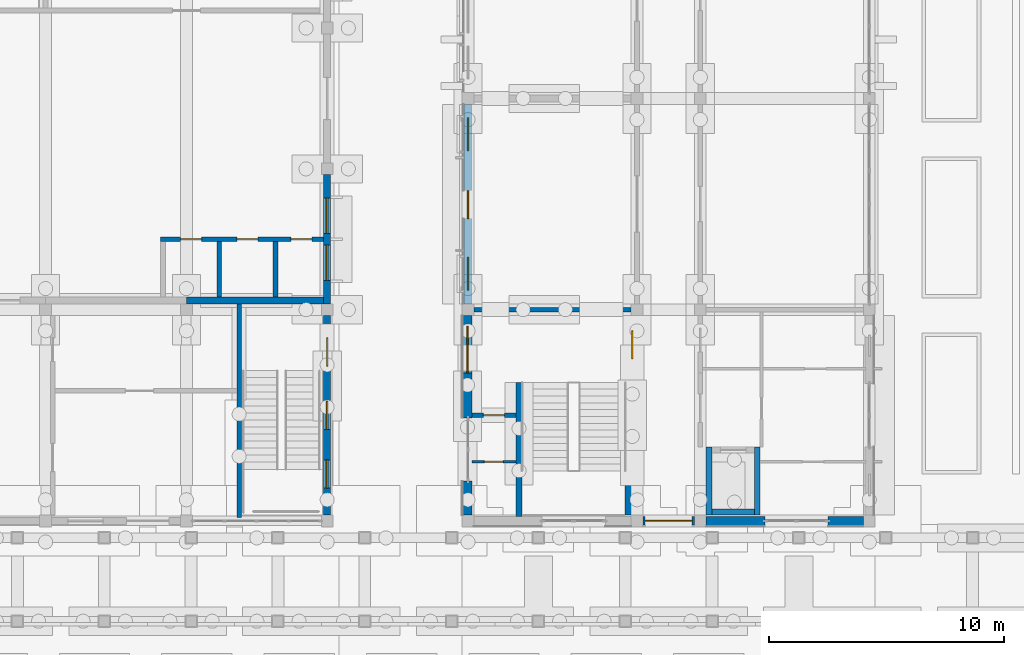
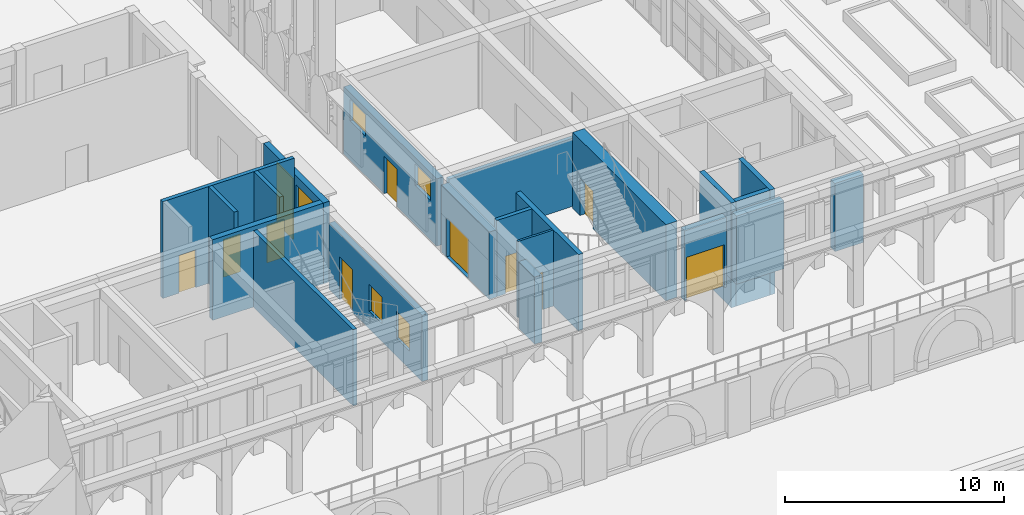
# One storey, part 57 of 161: 24 walls, 10 doors, 6 windows, 16 openings.
"""IFC4 building model written with IfcOpenShell, lengths in metres."""

from ifc_helpers import new_model, si_unit, direction, frame, frame_2d, origin, place, context, subcontext, project, spatial, rectangle, extrude, material, layer, layer_set, type_object, element, fill, save


model = new_model("IFC4")

# Units and contexts
model_context = context("Model", 3, precision=1e-05, world=origin(), true_north=direction((0.0, 1.0)))
body_context = subcontext(model_context, "Body", "Model", "MODEL_VIEW")
ifc_project = project(units=[si_unit("LENGTHUNIT", "METRE"), si_unit("AREAUNIT", "SQUARE_METRE"), si_unit("VOLUMEUNIT", "CUBIC_METRE"), si_unit("PLANEANGLEUNIT", "RADIAN"), si_unit("MASSUNIT", "GRAM", prefix="KILO")], contexts=[model_context])

# Site, building, storey
site_placement = place(None, origin())
site = spatial("IfcSite", under=ifc_project, at=site_placement, CompositionType="ELEMENT")
building_placement = place(site_placement, origin())
building = spatial("IfcBuilding", under=site, at=building_placement, Name="Elbe Cascade School", CompositionType="ELEMENT")
storey_placement = place(building_placement, origin())
storey = spatial("IfcBuildingStorey", under=building, at=storey_placement, Name="L00", CompositionType="ELEMENT", Elevation=0.0)

# Wall, opening, door
ifc_material_1 = material(Name="Masonry - lime-sand block, plastered", Category="masonry")
ifc_layer_1 = layer(ifc_material_1, 0.114990234375)
ifc_layer_set_1 = layer_set([ifc_layer_1], Name="Masonry - lime-sand block, plastered")
wall_type_1 = type_object("IfcWallType", Name="Bar light partition wall lime-sand block 115", PredefinedType="PARTITIONING", material=ifc_layer_set_1)
wall_1_placement = place(storey_placement, frame((71.050048828125, 8.52001953125, 0.0), z_axis=(0.0, 0.0, 1.0), x_axis=(-1.0, 0.0, 0.0)))
wall_1 = element("IfcWall", 1, at=wall_1_placement, inside=storey, type_object=wall_type_1, Name="Bar light partition wall lime-sand block 115", PredefinedType="PARTITIONING", context=body_context, shape_type="SweptSolid", body=[
    extrude(rectangle(XDim=1.8701171875, YDim=0.114990234375, at=frame_2d((0.93505859375, 0.0))), origin(), (0.0, 0.0, 1.0), 4.25),
])
opening_1_placement = place(wall_1_placement, frame((0.550048828125, 0.0, 0.0)))
opening_1 = element("IfcOpeningElement", 2, at=opening_1_placement, cuts=wall_1, Name="Opening D0.002", PredefinedType="OPENING", context=body_context, shape_type="SweptSolid", body=[
    extrude(rectangle(XDim=0.800048828125, YDim=2.10009765625, at=frame_2d((0.39990234375, 1.050048828125))), frame((0.0, 0.0673828125, 0.0), z_axis=(0.0, -1.0, 0.0), x_axis=(1.0, 0.0, 0.0)), (0.0, 0.0, 1.0), 0.135009765625),
])
ifc_material_2 = material(Name="Timber door leaf, steel frame", Category="steel")
door_type_1 = type_object("IfcDoorType", Name="Bar door 800x2100", OperationType="NOTDEFINED", PredefinedType="DOOR", material=ifc_material_2)
door_1_placement = place(opening_1_placement, origin())
door_1 = element("IfcDoor", 3, at=door_1_placement, inside=storey, type_object=door_type_1, Name="Door A0.05", OperationType="SINGLE_SWING_LEFT", OverallHeight=2.10009765625, OverallWidth=0.800048828125, PredefinedType="DOOR", context=body_context, shape_type="SweptSolid", body=[
    extrude(rectangle(XDim=0.800048828125, YDim=2.10009765625, at=frame_2d((0.39990234375, 1.050048828125))), frame((0.0, 0.02490234375, 0.0), z_axis=(0.0, -1.0, 0.0), x_axis=(1.0, 0.0, 0.0)), (0.0, 0.0, 1.0), 0.050048828125),
])
fill(opening_1, door_1)

# Wall
ifc_material_3 = material(Name="Concrete C30/37", Category="concrete")
ifc_layer_2 = layer(ifc_material_3, 0.25)
ifc_layer_set_2 = layer_set([ifc_layer_2], Name="Concrete C30/37")
wall_type_2 = type_object("IfcWallType", Name="Bar stair core wall RC 250", PredefinedType="SOLIDWALL", material=ifc_layer_set_2)
wall_2_placement = place(storey_placement, frame((71.175048828125, 6.179931640625, 0.0), z_axis=(0.0, 0.0, 1.0), x_axis=(0.0, 1.0, 0.0)))
element("IfcWall", 4, at=wall_2_placement, inside=storey, type_object=wall_type_2, Name="Bar stair core wall RC 250", PredefinedType="SOLIDWALL", context=body_context, shape_type="SweptSolid", body=[
    extrude(rectangle(XDim=5.719970703125, YDim=0.25, at=frame_2d((2.85986328125, 0.0))), origin(), (0.0, 0.0, 1.0), 4.25),
])

# Wall, opening, door
ifc_material_4 = material(Name="Concrete C30/37", Category="concrete")
ifc_layer_3 = layer(ifc_material_4, 0.60009765625)
ifc_layer_set_3 = layer_set([ifc_layer_3], Name="Concrete C30/37")
wall_type_3 = type_object("IfcWallType", Name="Bar stair core wall RC 600", PredefinedType="SOLIDWALL", material=ifc_layer_set_3)
wall_3_placement = place(storey_placement, frame((76.0, 6.25, 0.0), z_axis=(0.0, 0.0, 1.0), x_axis=(0.0, 1.0, 0.0)))
wall_3 = element("IfcWall", 5, at=wall_3_placement, inside=storey, type_object=wall_type_3, Name="Bar stair core wall RC 600", PredefinedType="SOLIDWALL", context=body_context, shape_type="SweptSolid", body=[
    extrude(rectangle(XDim=8.5, YDim=0.60009765625, at=frame_2d((4.25, 0.0))), origin(), (0.0, 0.0, 1.0), 4.25),
])
opening_2_placement = place(wall_3_placement, frame((6.64990234375, 0.0, 0.0)))
opening_2 = element("IfcOpeningElement", 6, at=opening_2_placement, cuts=wall_3, Name="Opening D0.010", PredefinedType="OPENING", context=body_context, shape_type="SweptSolid", body=[
    extrude(rectangle(XDim=1.199951171875, YDim=2.10009765625, at=frame_2d((0.60009765625, 1.050048828125))), frame((0.0, 0.31005859375, 0.0), z_axis=(0.0, -1.0, 0.0), x_axis=(1.0, 0.0, 0.0)), (0.0, 0.0, 1.0), 0.6201171875),
])
ifc_material_5 = material(Name="Timber door leaf, fire-resisting and smoke-tight, steel frame", Category="steel")
door_type_2 = type_object("IfcDoorType", Name="Bar door FD30S 1200x2100", OperationType="NOTDEFINED", PredefinedType="DOOR", material=ifc_material_5)
door_2_placement = place(opening_2_placement, origin())
door_2 = element("IfcDoor", 7, at=door_2_placement, inside=storey, type_object=door_type_2, Name="Door A0.03", OperationType="SINGLE_SWING_RIGHT", OverallHeight=2.10009765625, OverallWidth=1.199951171875, PredefinedType="DOOR", context=body_context, shape_type="SweptSolid", body=[
    extrude(rectangle(XDim=1.199951171875, YDim=2.10009765625, at=frame_2d((0.60009765625, 1.050048828125))), frame((0.0, 0.02490234375, 0.0), z_axis=(0.0, -1.0, 0.0), x_axis=(1.0, 0.0, 0.0)), (0.0, 0.0, 1.0), 0.050048828125),
])
fill(opening_2, door_2)

ifc_material_6 = material(Name="Concrete C30/37", Category="concrete")
ifc_layer_4 = layer(ifc_material_6, 0.199951171875)
ifc_layer_set_4 = layer_set([ifc_layer_4], Name="Concrete C30/37")
wall_type_4 = type_object("IfcWallType", Name="Bar stair lobby wall RC 200", PredefinedType="SOLIDWALL", material=ifc_layer_set_4)
wall_4_placement = place(storey_placement, frame((71.050048828125, 10.5, 0.0), z_axis=(0.0, 0.0, 1.0), x_axis=(-1.0, 0.0, 0.0)))
wall_4 = element("IfcWall", 8, at=wall_4_placement, inside=storey, type_object=wall_type_4, Name="Bar stair lobby wall RC 200", PredefinedType="SOLIDWALL", context=body_context, shape_type="SweptSolid", body=[
    extrude(rectangle(XDim=1.8701171875, YDim=0.199951171875, at=frame_2d((0.93505859375, 0.0))), origin(), (0.0, 0.0, 1.0), 4.25),
])
opening_3_placement = place(wall_4_placement, frame((0.5, 0.0, 0.0)))
opening_3 = element("IfcOpeningElement", 9, at=opening_3_placement, cuts=wall_4, Name="Opening D0.005", PredefinedType="OPENING", context=body_context, shape_type="SweptSolid", body=[
    extrude(rectangle(XDim=0.89990234375, YDim=2.10009765625, at=frame_2d((0.449951171875, 1.050048828125))), frame((0.0, 0.10986328125, 0.0), z_axis=(0.0, -1.0, 0.0), x_axis=(1.0, 0.0, 0.0)), (0.0, 0.0, 1.0), 0.219970703125),
])
ifc_material_7 = material(Name="Timber door leaf, fire-resisting and smoke-tight, steel frame", Category="steel")
door_type_3 = type_object("IfcDoorType", Name="Bar door FD30S 900x2100", OperationType="NOTDEFINED", PredefinedType="DOOR", material=ifc_material_7)
door_3_placement = place(opening_3_placement, origin())
door_3 = element("IfcDoor", 10, at=door_3_placement, inside=storey, type_object=door_type_3, Name="Door A0.04", OperationType="SINGLE_SWING_RIGHT", OverallHeight=2.10009765625, OverallWidth=0.89990234375, PredefinedType="DOOR", context=body_context, shape_type="SweptSolid", body=[
    extrude(rectangle(XDim=0.89990234375, YDim=2.10009765625, at=frame_2d((0.449951171875, 1.050048828125))), frame((0.0, 0.02490234375, 0.0), z_axis=(0.0, -1.0, 0.0), x_axis=(1.0, 0.0, 0.0)), (0.0, 0.0, 1.0), 0.050048828125),
])
fill(opening_3, door_3)

# Wall
wall_5_placement = place(storey_placement, frame((69.25, 15.0, 0.0), z_axis=(0.0, 0.0, 1.0), x_axis=(1.0, 0.0, 0.0)))
element("IfcWall", 11, at=wall_5_placement, inside=storey, type_object=wall_type_4, Name="Bar stair lobby wall RC 200", PredefinedType="SOLIDWALL", context=body_context, shape_type="SweptSolid", body=[
    extrude(rectangle(XDim=6.699951171875, YDim=0.199951171875, at=frame_2d((3.35009765625, 0.0))), origin(), (0.0, 0.0, 1.0), 3.800048828125),
])

# Wall, openings, door, windows
ifc_material_8 = material(Name="Brick masonry - red clinker, cavity wall with render backing", Category="masonry")
ifc_layer_5 = layer(ifc_material_8, 0.360107421875)
ifc_layer_set_5 = layer_set([ifc_layer_5], Name="Brick masonry - red clinker, cavity wall with render backing")
wall_type_5 = type_object("IfcWallType", Name="Bars envelope External wall - clinker brick cavity, 360 ground floor", PredefinedType="STANDARD", material=ifc_layer_set_5)
wall_6_placement = place(storey_placement, frame((69.0, 15.25, 0.0), z_axis=(0.0, 0.0, 1.0), x_axis=(0.0, 1.0, 0.0)))
wall_6 = element("IfcWall", 12, at=wall_6_placement, inside=storey, type_object=wall_type_5, Name="External wall W29 A.L00.w2", PredefinedType="STANDARD", context=body_context, shape_type="SweptSolid", body=[
    extrude(rectangle(XDim=8.5, YDim=0.360107421875, at=frame_2d((4.25, 0.0))), origin(), (0.0, 0.0, 1.0), 3.75),
])
opening_4_placement = place(wall_6_placement, frame((0.580078125, 0.0, 2.199951171875)))
opening_4 = element("IfcOpeningElement", 13, at=opening_4_placement, cuts=wall_6, Name="Opening W0.003", PredefinedType="OPENING", context=body_context, shape_type="SweptSolid", body=[
    extrude(rectangle(XDim=1.39990234375, YDim=1.199951171875, at=frame_2d((0.699951171875, 0.60009765625))), frame((0.0, 0.18994140625, 0.0), z_axis=(0.0, -1.0, 0.0), x_axis=(1.0, 0.0, 0.0)), (0.0, 0.0, 1.0), 0.380126953125),
])
opening_5_placement = place(wall_6_placement, frame((3.625, 0.0, 0.0)))
opening_5 = element("IfcOpeningElement", 14, at=opening_5_placement, cuts=wall_6, Name="Opening D0.012", PredefinedType="OPENING", context=body_context, shape_type="SweptSolid", body=[
    extrude(rectangle(XDim=1.199951171875, YDim=2.10009765625, at=frame_2d((0.60009765625, 1.050048828125))), frame((0.0, 0.18994140625, 0.0), z_axis=(0.0, -1.0, 0.0), x_axis=(1.0, 0.0, 0.0)), (0.0, 0.0, 1.0), 0.380126953125),
])
opening_6_placement = place(wall_6_placement, frame((6.52001953125, 0.0, 2.199951171875)))
opening_6 = element("IfcOpeningElement", 15, at=opening_6_placement, cuts=wall_6, Name="Opening W0.004", PredefinedType="OPENING", context=body_context, shape_type="SweptSolid", body=[
    extrude(rectangle(XDim=1.39990234375, YDim=1.199951171875, at=frame_2d((0.699951171875, 0.60009765625))), frame((0.0, 0.18994140625, 0.0), z_axis=(0.0, -1.0, 0.0), x_axis=(1.0, 0.0, 0.0)), (0.0, 0.0, 1.0), 0.380126953125),
])
ifc_material_9 = material(Name="Steel door set, fire resisting", Category="steel")
door_type_4 = type_object("IfcDoorType", Name="Bars envelope Service door, single leaf, 1200 x 2100, fire resisting", OperationType="SINGLE_SWING_RIGHT", PredefinedType="DOOR", material=ifc_material_9)
door_4_placement = place(opening_5_placement, origin())
door_4 = element("IfcDoor", 16, at=door_4_placement, inside=storey, type_object=door_type_4, Name="Service door D13 A.L00.w2", OperationType="SINGLE_SWING_RIGHT", OverallHeight=2.10009765625, OverallWidth=1.199951171875, PredefinedType="DOOR", context=body_context, shape_type="SweptSolid", body=[
    extrude(rectangle(XDim=1.199951171875, YDim=2.10009765625, at=frame_2d((0.60009765625, 1.050048828125))), frame((0.0, 0.02490234375, 0.0), z_axis=(0.0, -1.0, 0.0), x_axis=(1.0, 0.0, 0.0)), (0.0, 0.0, 1.0), 0.050048828125),
])
fill(opening_5, door_4)
ifc_material_10 = material(Name="Aluminium louvre, bronze anodised", Category="aluminium")
window_type_1 = type_object("IfcWindowType", Name="Bars envelope Window 1400 x 1200, plant room louvre, aluminium double glazed", PartitioningType="DOUBLE_PANEL_VERTICAL", PredefinedType="WINDOW", material=ifc_material_10)
window_1_placement = place(opening_4_placement, origin())
window_1 = element("IfcWindow", 17, at=window_1_placement, inside=storey, type_object=window_type_1, Name="Window WN3 A.L00.w2.1", OverallHeight=1.199951171875, OverallWidth=1.39990234375, PartitioningType="DOUBLE_PANEL_VERTICAL", PredefinedType="WINDOW", context=body_context, shape_type="SweptSolid", body=[
    extrude(rectangle(XDim=1.39990234375, YDim=1.199951171875, at=frame_2d((0.699951171875, 0.60009765625))), frame((0.0, 0.030029296875, 0.0), z_axis=(0.0, -1.0, 0.0), x_axis=(1.0, 0.0, 0.0)), (0.0, 0.0, 1.0), 0.06005859375),
])
fill(opening_4, window_1)
window_2_placement = place(opening_6_placement, origin())
window_2 = element("IfcWindow", 18, at=window_2_placement, inside=storey, type_object=window_type_1, Name="Window WN3 A.L00.w2.3", OverallHeight=1.199951171875, OverallWidth=1.39990234375, PartitioningType="DOUBLE_PANEL_VERTICAL", PredefinedType="WINDOW", context=body_context, shape_type="SweptSolid", body=[
    extrude(rectangle(XDim=1.39990234375, YDim=1.199951171875, at=frame_2d((0.699951171875, 0.60009765625))), frame((0.0, 0.030029296875, 0.0), z_axis=(0.0, -1.0, 0.0), x_axis=(1.0, 0.0, 0.0)), (0.0, 0.0, 1.0), 0.06005859375),
])
fill(opening_6, window_2)

# Wall, opening, door
wall_7_placement = place(storey_placement, frame((78.64990234375, 6.0, 0.0), z_axis=(0.0, 0.0, 1.0), x_axis=(-1.0, 0.0, 0.0)))
wall_7 = element("IfcWall", 19, at=wall_7_placement, inside=storey, type_object=wall_type_5, Name="External wall W29 A.L00.s2", PredefinedType="STANDARD", context=body_context, shape_type="SweptSolid", body=[
    extrude(rectangle(XDim=2.199951171875, YDim=0.360107421875, at=frame_2d((1.10009765625, 0.0))), origin(), (0.0, 0.0, 1.0), 3.89990234375),
])
opening_7_placement = place(wall_7_placement, frame((0.10009765625, 0.0, 0.0)))
opening_7 = element("IfcOpeningElement", 20, at=opening_7_placement, cuts=wall_7, Name="Opening D0.001", PredefinedType="OPENING", context=body_context, shape_type="SweptSolid", body=[
    extrude(rectangle(XDim=2.0, YDim=2.39990234375, at=frame_2d((1.0, 1.199951171875))), frame((0.0, 0.18994140625, 0.0), z_axis=(0.0, -1.0, 0.0), x_axis=(1.0, 0.0, 0.0)), (0.0, 0.0, 1.0), 0.380126953125),
])
ifc_material_11 = material(Name="Aluminium and glass fire-resisting door set", Category="aluminium")
door_type_5 = type_object("IfcDoorType", Name="Bars envelope Main entrance door, double leaf, glazed, 2000 x 2400, fire resisting", OperationType="DOUBLE_DOOR_SINGLE_SWING", PredefinedType="DOOR", material=ifc_material_11)
door_5_placement = place(opening_7_placement, origin())
door_5 = element("IfcDoor", 21, at=door_5_placement, inside=storey, type_object=door_type_5, Name="Main entrance door D15 A.L00.s2", OperationType="DOUBLE_DOOR_SINGLE_SWING", OverallHeight=2.39990234375, OverallWidth=2.0, PredefinedType="DOOR", context=body_context, shape_type="SweptSolid", body=[
    extrude(rectangle(XDim=2.0, YDim=2.39990234375, at=frame_2d((1.0, 1.199951171875))), frame((0.0, 0.02490234375, 0.0), z_axis=(0.0, -1.0, 0.0), x_axis=(1.0, 0.0, 0.0)), (0.0, 0.0, 1.0), 0.050048828125),
])
fill(opening_7, door_5)

# Wall
ifc_material_12 = material(Name="Brick masonry - red clinker, solid, sandstone-faced", Category="masonry")
ifc_layer_6 = layer(ifc_material_12, 0.39990234375)
ifc_layer_set_6 = layer_set([ifc_layer_6], Name="Brick masonry - red clinker, solid, sandstone-faced")
wall_type_6 = type_object("IfcWallType", Name="Bars envelope External wall - solid masonry core strip, sandstone faced, 400", PredefinedType="STANDARD", material=ifc_layer_set_6)
wall_8_placement = place(storey_placement, frame((68.97998046875, 6.25, 0.0), z_axis=(0.0, 0.0, 1.0), x_axis=(0.0, 1.0, 0.0)))
element("IfcWall", 22, at=wall_8_placement, inside=storey, type_object=wall_type_6, Name="External wall W31 A.L00.w1a", PredefinedType="STANDARD", context=body_context, shape_type="SweptSolid", body=[
    extrude(rectangle(XDim=1.43994140625, YDim=0.39990234375, at=frame_2d((0.719970703125, 0.0))), origin(), (0.0, 0.0, 1.0), 3.75),
])

# Wall, opening, door
wall_9_placement = place(storey_placement, frame((68.97998046875, 10.389892578125, 0.0), z_axis=(0.0, 0.0, 1.0), x_axis=(0.0, 1.0, 0.0)))
wall_9 = element("IfcWall", 23, at=wall_9_placement, inside=storey, type_object=wall_type_6, Name="External wall W31 A.L00.w1b", PredefinedType="STANDARD", context=body_context, shape_type="SweptSolid", body=[
    extrude(rectangle(XDim=4.360107421875, YDim=0.39990234375, at=frame_2d((2.18017578125, 0.0))), origin(), (0.0, 0.0, 1.0), 3.75),
])
opening_8_placement = place(wall_9_placement, frame((1.909912109375, 0.0, 0.0)))
opening_8 = element("IfcOpeningElement", 24, at=opening_8_placement, cuts=wall_9, Name="Opening D0.009", PredefinedType="OPENING", context=body_context, shape_type="SweptSolid", body=[
    extrude(rectangle(XDim=2.0, YDim=2.199951171875, at=frame_2d((1.0, 1.10009765625))), frame((0.0, 0.2099609375, 0.0), z_axis=(0.0, -1.0, 0.0), x_axis=(1.0, 0.0, 0.0)), (0.0, 0.0, 1.0), 0.419921875),
])
ifc_material_13 = material(Name="Steel door set, fire resisting", Category="steel")
door_type_6 = type_object("IfcDoorType", Name="Bars envelope Stair exit door, double leaf, 2000 x 2200, fire resisting", OperationType="DOUBLE_DOOR_SINGLE_SWING", PredefinedType="DOOR", material=ifc_material_13)
door_6_placement = place(opening_8_placement, origin())
door_6 = element("IfcDoor", 25, at=door_6_placement, inside=storey, type_object=door_type_6, Name="Stair exit door D12 A.L00.w1b", OperationType="DOUBLE_DOOR_SINGLE_SWING", OverallHeight=2.199951171875, OverallWidth=2.0, PredefinedType="DOOR", context=body_context, shape_type="SweptSolid", body=[
    extrude(rectangle(XDim=2.0, YDim=2.199951171875, at=frame_2d((1.0, 1.10009765625))), frame((0.0, 0.02490234375, 0.0), z_axis=(0.0, -1.0, 0.0), x_axis=(1.0, 0.0, 0.0)), (0.0, 0.0, 1.0), 0.050048828125),
])
fill(opening_8, door_6)

# Walls
wall_10_placement = place(storey_placement, frame((81.64990234375, 5.97998046875, 0.0), z_axis=(0.0, 0.0, 1.0), x_axis=(-1.0, 0.0, 0.0)))
element("IfcWall", 26, at=wall_10_placement, inside=storey, type_object=wall_type_6, Name="External wall W31 A.L00.s3a", PredefinedType="STANDARD", context=body_context, shape_type="SweptSolid", body=[
    extrude(rectangle(XDim=2.5, YDim=0.39990234375, at=frame_2d((1.25, 0.0))), origin(), (0.0, 0.0, 1.0), 3.800048828125),
])
wall_11_placement = place(storey_placement, frame((85.85009765625, 5.97998046875, 0.0), z_axis=(0.0, 0.0, 1.0), x_axis=(-1.0, 0.0, 0.0)))
element("IfcWall", 27, at=wall_11_placement, inside=storey, type_object=wall_type_6, Name="External wall W31 A.L00.s3b", PredefinedType="STANDARD", context=body_context, shape_type="SweptSolid", body=[
    extrude(rectangle(XDim=1.5, YDim=0.39990234375, at=frame_2d((0.75, 0.0))), origin(), (0.0, 0.0, 1.0), 3.800048828125),
])
ifc_material_14 = material(Name="Concrete C30/37", Category="concrete")
ifc_layer_7 = layer(ifc_material_14, 0.199951171875)
ifc_layer_set_7 = layer_set([ifc_layer_7], Name="Concrete C30/37")
wall_type_7 = type_object("IfcWallType", Name="Cafe stair enclosure wall 200", PredefinedType="SOLIDWALL", material=ifc_layer_set_7)
wall_12_placement = place(storey_placement, frame((59.25, 6.14990234375, 0.0), z_axis=(0.0, 0.0, 1.0), x_axis=(0.0, 1.0, 0.0)))
element("IfcWall", 28, at=wall_12_placement, inside=storey, type_object=wall_type_7, Name="Cafe stair enclosure wall 200 W39", PredefinedType="SOLIDWALL", context=body_context, shape_type="SweptSolid", body=[
    extrude(rectangle(XDim=9.10009765625, YDim=0.199951171875, at=frame_2d((4.550048828125, 0.0))), origin(), (0.0, 0.0, 1.0), 4.25),
])

# Wall, openings, door, windows
ifc_material_15 = material(Name="Concrete C30/37", Category="concrete")
ifc_layer_8 = layer(ifc_material_15, 0.300048828125)
ifc_layer_set_8 = layer_set([ifc_layer_8], Name="Concrete C30/37")
wall_type_8 = type_object("IfcWallType", Name="Cafe wing RC wall 300", PredefinedType="SOLIDWALL", material=ifc_layer_set_8)
wall_13_placement = place(storey_placement, frame((63.0, 14.75, 0.0), z_axis=(0.0, 0.0, 1.0), x_axis=(0.0, -1.0, 0.0)))
wall_13 = element("IfcWall", 29, at=wall_13_placement, inside=storey, type_object=wall_type_8, Name="Cafe wing RC wall 300 W10", PredefinedType="SOLIDWALL", context=body_context, shape_type="SweptSolid", body=[
    extrude(rectangle(XDim=8.5, YDim=0.300048828125, at=frame_2d((4.25, 0.0))), origin(), (0.0, 0.0, 1.0), 3.699951171875),
])
opening_9_placement = place(wall_13_placement, frame((0.949951171875, 0.0, 0.0)))
opening_9 = element("IfcOpeningElement", 30, at=opening_9_placement, cuts=wall_13, Name="Opening D0.176", PredefinedType="OPENING", context=body_context, shape_type="SweptSolid", body=[
    extrude(rectangle(XDim=1.199951171875, YDim=2.39990234375, at=frame_2d((0.60009765625, 1.199951171875))), frame((0.0, 0.159912109375, 0.0), z_axis=(0.0, -1.0, 0.0), x_axis=(1.0, 0.0, 0.0)), (0.0, 0.0, 1.0), 0.320068359375),
])
opening_10_placement = place(wall_13_placement, frame((6.14990234375, 0.0, 1.0)))
opening_10 = element("IfcOpeningElement", 31, at=opening_10_placement, cuts=wall_13, Name="Opening W0.145", PredefinedType="OPENING", context=body_context, shape_type="SweptSolid", body=[
    extrude(rectangle(XDim=1.199951171875, YDim=1.5, at=frame_2d((0.60009765625, 0.75))), frame((0.0, 0.159912109375, 0.0), z_axis=(0.0, -1.0, 0.0), x_axis=(1.0, 0.0, 0.0)), (0.0, 0.0, 1.0), 0.320068359375),
])
opening_11_placement = place(wall_13_placement, frame((3.64990234375, 0.0, 1.0)))
opening_11 = element("IfcOpeningElement", 32, at=opening_11_placement, cuts=wall_13, Name="Opening W0.147", PredefinedType="OPENING", context=body_context, shape_type="SweptSolid", body=[
    extrude(rectangle(XDim=1.199951171875, YDim=1.5, at=frame_2d((0.60009765625, 0.75))), frame((0.0, 0.159912109375, 0.0), z_axis=(0.0, -1.0, 0.0), x_axis=(1.0, 0.0, 0.0)), (0.0, 0.0, 1.0), 0.320068359375),
])
ifc_material_16 = material(Name="Steel - fire door leaf", Category="steel")
door_type_7 = type_object("IfcDoorType", Name="Cafe stair exit door 1200x2400 swing FD30S", OperationType="NOTDEFINED", PredefinedType="NOTDEFINED", material=ifc_material_16)
door_7_placement = place(opening_9_placement, origin())
door_7 = element("IfcDoor", 33, at=door_7_placement, inside=storey, type_object=door_type_7, Name="Cafe stair exit door 1200x2400 swing FD30S D0.176", OperationType="SINGLE_SWING_LEFT", OverallHeight=2.39990234375, OverallWidth=1.199951171875, PredefinedType="NOTDEFINED", context=body_context, shape_type="SweptSolid", body=[
    extrude(rectangle(XDim=1.199951171875, YDim=2.39990234375, at=frame_2d((0.60009765625, 1.199951171875))), frame((0.0, 0.02490234375, 0.0), z_axis=(0.0, -1.0, 0.0), x_axis=(1.0, 0.0, 0.0)), (0.0, 0.0, 1.0), 0.050048828125),
])
fill(opening_9, door_7)
ifc_material_17 = material(Name="Aluminium - bronze anodised", Category="aluminium")
window_type_2 = type_object("IfcWindowType", Name="Cafe wing small window 1200x1500 sill 1000", PartitioningType="SINGLE_PANEL", PredefinedType="WINDOW", material=ifc_material_17)
window_3_placement = place(opening_10_placement, origin())
window_3 = element("IfcWindow", 34, at=window_3_placement, inside=storey, type_object=window_type_2, Name="Cafe wing small window 1200x1500 sill 1000 W0.145", OverallHeight=1.5, OverallWidth=1.199951171875, PartitioningType="SINGLE_PANEL", PredefinedType="WINDOW", context=body_context, shape_type="SweptSolid", body=[
    extrude(rectangle(XDim=1.199951171875, YDim=1.5, at=frame_2d((0.60009765625, 0.75))), frame((0.0, 0.030029296875, 0.0), z_axis=(0.0, -1.0, 0.0), x_axis=(1.0, 0.0, 0.0)), (0.0, 0.0, 1.0), 0.06005859375),
])
fill(opening_10, window_3)
window_4_placement = place(opening_11_placement, origin())
window_4 = element("IfcWindow", 35, at=window_4_placement, inside=storey, type_object=window_type_2, Name="Cafe wing small window 1200x1500 sill 1000 W0.147", OverallHeight=1.5, OverallWidth=1.199951171875, PartitioningType="SINGLE_PANEL", PredefinedType="WINDOW", context=body_context, shape_type="SweptSolid", body=[
    extrude(rectangle(XDim=1.199951171875, YDim=1.5, at=frame_2d((0.60009765625, 0.75))), frame((0.0, 0.030029296875, 0.0), z_axis=(0.0, -1.0, 0.0), x_axis=(1.0, 0.0, 0.0)), (0.0, 0.0, 1.0), 0.06005859375),
])
fill(opening_11, window_4)

# Wall
ifc_material_18 = material(Name="Concrete C30/37", Category="concrete")
ifc_layer_9 = layer(ifc_material_18, 0.300048828125)
ifc_layer_set_9 = layer_set([ifc_layer_9], Name="Concrete C30/37")
wall_type_9 = type_object("IfcWallType", Name="Dining hall RC wall 300", PredefinedType="SOLIDWALL", material=ifc_layer_set_9)
wall_14_placement = place(storey_placement, frame((62.85009765625, 15.39990234375, 0.0), z_axis=(0.0, 0.0, 1.0), x_axis=(-1.0, 0.0, 0.0)))
element("IfcWall", 36, at=wall_14_placement, inside=storey, type_object=wall_type_9, Name="Dining hall RC wall 300 W11", PredefinedType="SOLIDWALL", context=body_context, shape_type="SweptSolid", body=[
    extrude(rectangle(XDim=5.85009765625, YDim=0.300048828125, at=frame_2d((2.925048828125, 0.0))), origin(), (0.0, 0.0, 1.0), 4.5),
])

# Wall, openings, windows
wall_15_placement = place(storey_placement, frame((63.0, 20.75, 0.0), z_axis=(0.0, 0.0, 1.0), x_axis=(0.0, -1.0, 0.0)))
wall_15 = element("IfcWall", 37, at=wall_15_placement, inside=storey, type_object=wall_type_9, Name="Dining hall RC wall 300 W11", PredefinedType="SOLIDWALL", context=body_context, shape_type="SweptSolid", body=[
    extrude(rectangle(XDim=5.5, YDim=0.300048828125, at=frame_2d((2.75, 0.0))), origin(), (0.0, 0.0, 1.0), 4.5),
])
opening_12_placement = place(wall_15_placement, frame((3.0, 0.0, 0.60009765625)))
opening_12 = element("IfcOpeningElement", 38, at=opening_12_placement, cuts=wall_15, Name="Opening W0.149", PredefinedType="OPENING", context=body_context, shape_type="SweptSolid", body=[
    extrude(rectangle(XDim=1.5, YDim=3.39990234375, at=frame_2d((0.75, 1.699951171875))), frame((0.0, 0.159912109375, 0.0), z_axis=(0.0, -1.0, 0.0), x_axis=(1.0, 0.0, 0.0)), (0.0, 0.0, 1.0), 0.320068359375),
])
opening_13_placement = place(wall_15_placement, frame((1.0, 0.0, 0.60009765625)))
opening_13 = element("IfcOpeningElement", 39, at=opening_13_placement, cuts=wall_15, Name="Opening W0.151", PredefinedType="OPENING", context=body_context, shape_type="SweptSolid", body=[
    extrude(rectangle(XDim=1.5, YDim=3.39990234375, at=frame_2d((0.75, 1.699951171875))), frame((0.0, 0.159912109375, 0.0), z_axis=(0.0, -1.0, 0.0), x_axis=(1.0, 0.0, 0.0)), (0.0, 0.0, 1.0), 0.320068359375),
])
ifc_material_19 = material(Name="Aluminium - bronze anodised", Category="aluminium")
window_type_3 = type_object("IfcWindowType", Name="Dining hall window 1500x3400 sill 600", PartitioningType="SINGLE_PANEL", PredefinedType="WINDOW", material=ifc_material_19)
window_5_placement = place(opening_12_placement, origin())
window_5 = element("IfcWindow", 40, at=window_5_placement, inside=storey, type_object=window_type_3, Name="Dining hall window 1500x3400 sill 600 W0.149", OverallHeight=3.39990234375, OverallWidth=1.5, PartitioningType="SINGLE_PANEL", PredefinedType="WINDOW", context=body_context, shape_type="SweptSolid", body=[
    extrude(rectangle(XDim=1.5, YDim=3.39990234375, at=frame_2d((0.75, 1.699951171875))), frame((0.0, 0.030029296875, 0.0), z_axis=(0.0, -1.0, 0.0), x_axis=(1.0, 0.0, 0.0)), (0.0, 0.0, 1.0), 0.06005859375),
])
fill(opening_12, window_5)
window_6_placement = place(opening_13_placement, origin())
window_6 = element("IfcWindow", 41, at=window_6_placement, inside=storey, type_object=window_type_3, Name="Dining hall window 1500x3400 sill 600 W0.151", OverallHeight=3.39990234375, OverallWidth=1.5, PartitioningType="SINGLE_PANEL", PredefinedType="WINDOW", context=body_context, shape_type="SweptSolid", body=[
    extrude(rectangle(XDim=1.5, YDim=3.39990234375, at=frame_2d((0.75, 1.699951171875))), frame((0.0, 0.030029296875, 0.0), z_axis=(0.0, -1.0, 0.0), x_axis=(1.0, 0.0, 0.0)), (0.0, 0.0, 1.0), 0.06005859375),
])
fill(opening_13, window_6)

# Wall, openings, doors
ifc_material_20 = material(Name="Masonry - rendered blockwork", Category="masonry")
ifc_layer_10 = layer(ifc_material_20, 0.199951171875)
ifc_layer_set_10 = layer_set([ifc_layer_10], Name="Masonry - rendered blockwork")
wall_type_10 = type_object("IfcWallType", Name="Dining partition wall 200", PredefinedType="PARTITIONING", material=ifc_layer_set_10)
wall_16_placement = place(storey_placement, frame((55.89990234375, 18.0, 0.0), z_axis=(0.0, 0.0, 1.0), x_axis=(1.0, 0.0, 0.0)))
wall_16 = element("IfcWall", 42, at=wall_16_placement, inside=storey, type_object=wall_type_10, Name="Dining partition wall 200 W41", PredefinedType="PARTITIONING", context=body_context, shape_type="SweptSolid", body=[
    extrude(rectangle(XDim=6.9501953125, YDim=0.199951171875, at=frame_2d((3.47509765625, 0.0))), origin(), (0.0, 0.0, 1.0), 5.39990234375),
])
opening_14_placement = place(wall_16_placement, frame((0.85009765625, 0.0, 0.0)))
opening_14 = element("IfcOpeningElement", 43, at=opening_14_placement, cuts=wall_16, Name="Opening D0.179", PredefinedType="OPENING", context=body_context, shape_type="SweptSolid", body=[
    extrude(rectangle(XDim=0.89990234375, YDim=2.10009765625, at=frame_2d((0.449951171875, 1.050048828125))), frame((0.0, 0.10986328125, 0.0), z_axis=(0.0, -1.0, 0.0), x_axis=(1.0, 0.0, 0.0)), (0.0, 0.0, 1.0), 0.219970703125),
])
opening_15_placement = place(wall_16_placement, frame((3.25, 0.0, 0.0)))
opening_15 = element("IfcOpeningElement", 44, at=opening_15_placement, cuts=wall_16, Name="Opening D0.180", PredefinedType="OPENING", context=body_context, shape_type="SweptSolid", body=[
    extrude(rectangle(XDim=0.89990234375, YDim=2.10009765625, at=frame_2d((0.449951171875, 1.050048828125))), frame((0.0, 0.10986328125, 0.0), z_axis=(0.0, -1.0, 0.0), x_axis=(1.0, 0.0, 0.0)), (0.0, 0.0, 1.0), 0.219970703125),
])
opening_16_placement = place(wall_16_placement, frame((5.550048828125, 0.0, 0.0)))
opening_16 = element("IfcOpeningElement", 45, at=opening_16_placement, cuts=wall_16, Name="Opening D0.181", PredefinedType="OPENING", context=body_context, shape_type="SweptSolid", body=[
    extrude(rectangle(XDim=0.89990234375, YDim=2.10009765625, at=frame_2d((0.449951171875, 1.050048828125))), frame((0.0, 0.10986328125, 0.0), z_axis=(0.0, -1.0, 0.0), x_axis=(1.0, 0.0, 0.0)), (0.0, 0.0, 1.0), 0.219970703125),
])
ifc_material_21 = material(Name="Timber - oak door leaf", Category="wood")
door_type_8 = type_object("IfcDoorType", Name="Dining WC door 900x2100 swing NOT RATED", OperationType="NOTDEFINED", PredefinedType="NOTDEFINED", material=ifc_material_21)
door_8_placement = place(opening_14_placement, origin())
door_8 = element("IfcDoor", 46, at=door_8_placement, inside=storey, type_object=door_type_8, Name="Dining WC door 900x2100 swing NOT RATED D0.179", OperationType="SINGLE_SWING_LEFT", OverallHeight=2.10009765625, OverallWidth=0.89990234375, PredefinedType="NOTDEFINED", context=body_context, shape_type="SweptSolid", body=[
    extrude(rectangle(XDim=0.89990234375, YDim=2.10009765625, at=frame_2d((0.449951171875, 1.050048828125))), frame((0.0, 0.02490234375, 0.0), z_axis=(0.0, -1.0, 0.0), x_axis=(1.0, 0.0, 0.0)), (0.0, 0.0, 1.0), 0.050048828125),
])
fill(opening_14, door_8)
door_9_placement = place(opening_15_placement, origin())
door_9 = element("IfcDoor", 47, at=door_9_placement, inside=storey, type_object=door_type_8, Name="Dining WC door 900x2100 swing NOT RATED D0.180", OperationType="SINGLE_SWING_RIGHT", OverallHeight=2.10009765625, OverallWidth=0.89990234375, PredefinedType="NOTDEFINED", context=body_context, shape_type="SweptSolid", body=[
    extrude(rectangle(XDim=0.89990234375, YDim=2.10009765625, at=frame_2d((0.449951171875, 1.050048828125))), frame((0.0, 0.02490234375, 0.0), z_axis=(0.0, -1.0, 0.0), x_axis=(1.0, 0.0, 0.0)), (0.0, 0.0, 1.0), 0.050048828125),
])
fill(opening_15, door_9)
door_10_placement = place(opening_16_placement, origin())
door_10 = element("IfcDoor", 48, at=door_10_placement, inside=storey, type_object=door_type_8, Name="Dining WC door 900x2100 swing NOT RATED D0.181", OperationType="SINGLE_SWING_LEFT", OverallHeight=2.10009765625, OverallWidth=0.89990234375, PredefinedType="NOTDEFINED", context=body_context, shape_type="SweptSolid", body=[
    extrude(rectangle(XDim=0.89990234375, YDim=2.10009765625, at=frame_2d((0.449951171875, 1.050048828125))), frame((0.0, 0.02490234375, 0.0), z_axis=(0.0, -1.0, 0.0), x_axis=(1.0, 0.0, 0.0)), (0.0, 0.0, 1.0), 0.050048828125),
])
fill(opening_16, door_10)

# Walls
for number, where, z_axis, x_axis, name in (
    (49, (58.39990234375, 15.550048828125, 0.0), (0.0, 0.0, 1.0), (0.0, 1.0, 0.0), "Dining partition wall 200 W41"),
    (50, (60.800048828125, 15.550048828125, 0.0), (0.0, 0.0, 1.0), (0.0, 1.0, 0.0), "Dining partition wall 200 W41"),
):
    element("IfcWall", number, at=place(storey_placement, frame(where, z_axis=z_axis, x_axis=x_axis)), inside=storey, type_object=wall_type_10, Name=name, PredefinedType="PARTITIONING", context=body_context, shape_type="SweptSolid", body=[
        extrude(rectangle(XDim=2.349853515625, YDim=0.199951171875, at=frame_2d((1.1748046875, 0.0))), origin(), (0.0, 0.0, 1.0), 5.39990234375),
    ])
ifc_material_22 = material(Name="Concrete C30/37", Category="concrete")
ifc_layer_11 = layer(ifc_material_22, 0.25)
ifc_layer_set_11 = layer_set([ifc_layer_11], Name="Concrete C30/37")
wall_type_11 = type_object("IfcWallType", Name="Shaft wall 250", PredefinedType="SHEAR", material=ifc_layer_set_11)
for number, where, z_axis, x_axis, name in (
    (51, (79.27490234375, 6.25, 0.0), (0.0, 0.0, 1.0), (0.0, 1.0, 0.0), "Shaft wall 250 W1"),
    (52, (81.324951171875, 6.25, 0.0), (0.0, 0.0, 1.0), (0.0, 1.0, 0.0), "Shaft wall 250 W1"),
):
    element("IfcWall", number, at=place(storey_placement, frame(where, z_axis=z_axis, x_axis=x_axis)), inside=storey, type_object=wall_type_11, Name=name, PredefinedType="SHEAR", context=body_context, shape_type="SweptSolid", body=[
        extrude(rectangle(XDim=2.89990234375, YDim=0.25, at=frame_2d((1.449951171875, 0.0))), origin(), (0.0, 0.0, 1.0), 4.25),
    ])
wall_17_placement = place(storey_placement, frame((79.39990234375, 6.375, 0.0), z_axis=(0.0, 0.0, 1.0), x_axis=(1.0, 0.0, 0.0)))
element("IfcWall", 53, at=wall_17_placement, inside=storey, type_object=wall_type_11, Name="Shaft wall 250 W1", PredefinedType="SHEAR", context=body_context, shape_type="SweptSolid", body=[
    extrude(rectangle(XDim=1.800048828125, YDim=0.25, at=frame_2d((0.89990234375, 0.0))), origin(), (0.0, 0.0, 1.0), 4.25),
])
for number, where, z_axis, x_axis, name in (
    (54, (79.27490234375, 6.25, -1.60009765625), (0.0, 0.0, 1.0), (0.0, 1.0, 0.0), "Shaft wall 250 W1"),
    (55, (81.324951171875, 6.25, -1.60009765625), (0.0, 0.0, 1.0), (0.0, 1.0, 0.0), "Shaft wall 250 W1"),
):
    element("IfcWall", number, at=place(storey_placement, frame(where, z_axis=z_axis, x_axis=x_axis)), inside=storey, type_object=wall_type_11, Name=name, PredefinedType="SHEAR", context=body_context, shape_type="SweptSolid", body=[
        extrude(rectangle(XDim=2.89990234375, YDim=0.25, at=frame_2d((1.449951171875, 0.0))), origin(), (0.0, 0.0, 1.0), 1.60009765625),
    ])
wall_18_placement = place(storey_placement, frame((79.39990234375, 6.375, -1.60009765625), z_axis=(0.0, 0.0, 1.0), x_axis=(1.0, 0.0, 0.0)))
element("IfcWall", 56, at=wall_18_placement, inside=storey, type_object=wall_type_11, Name="Shaft wall 250 W1", PredefinedType="SHEAR", context=body_context, shape_type="SweptSolid", body=[
    extrude(rectangle(XDim=1.800048828125, YDim=0.25, at=frame_2d((0.89990234375, 0.0))), origin(), (0.0, 0.0, 1.0), 1.60009765625),
])

save(model, "model.ifc")
